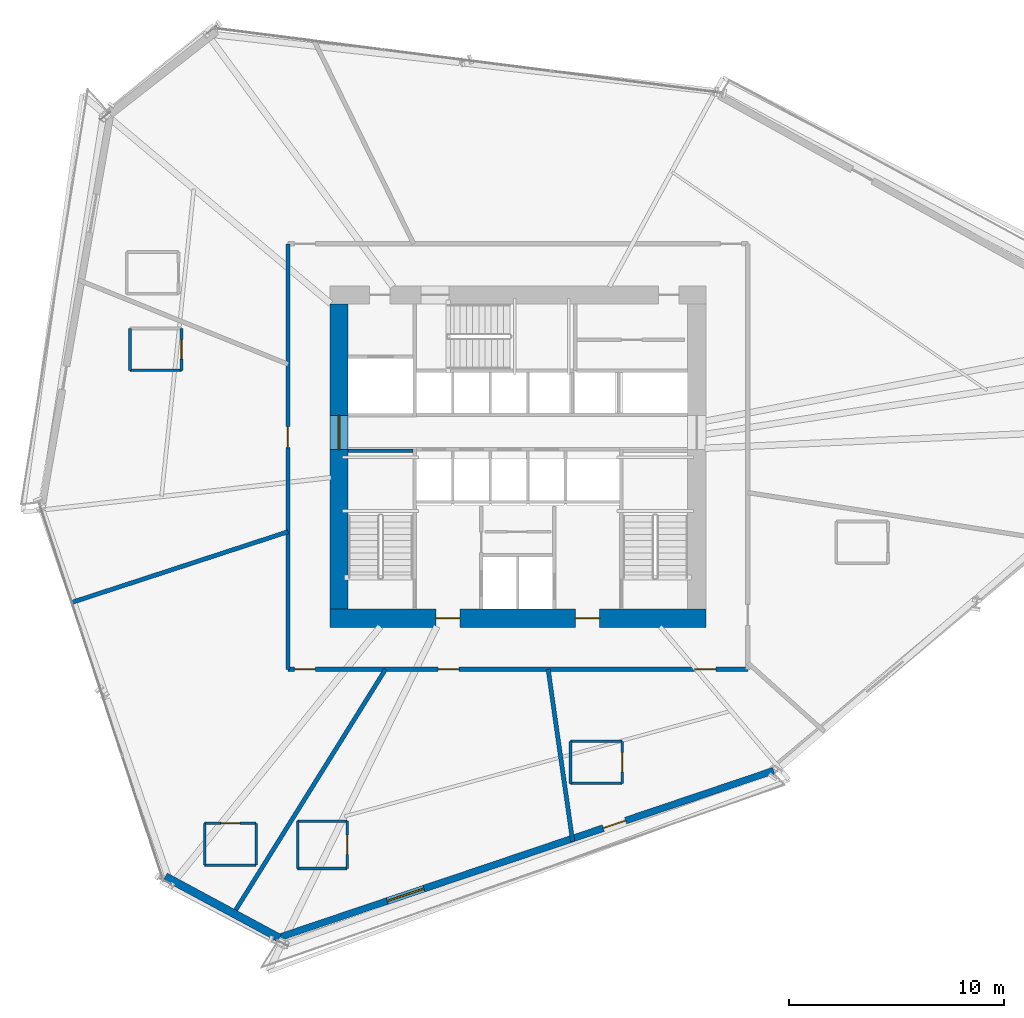
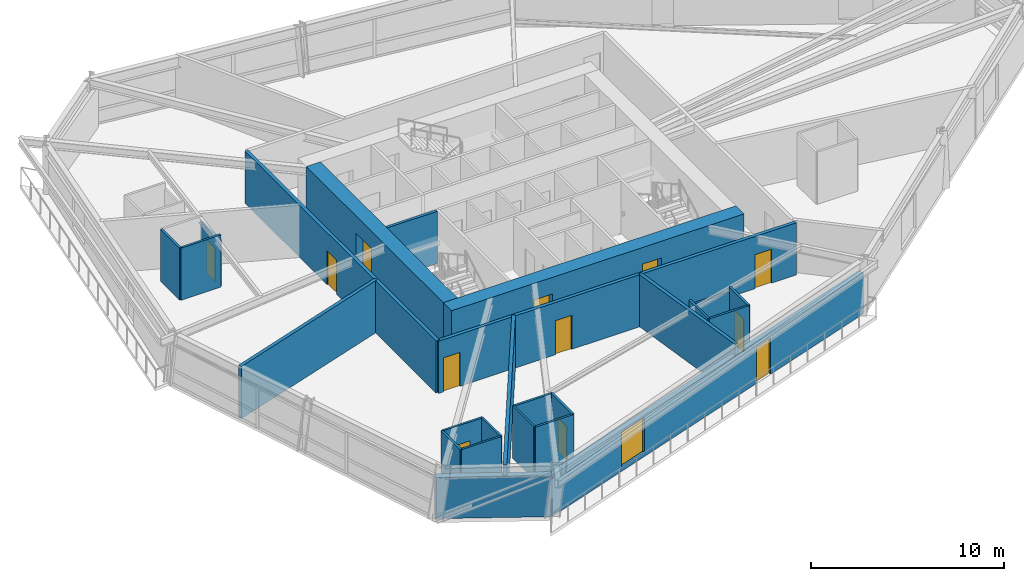
# One storey, part 15 of 22: 25 walls, 12 doors, 1 window, 13 openings.
"""IFC4 building model written with IfcOpenShell, lengths in metres."""

import ifcopenshell
import ifcopenshell.guid

model = None  # the IFC model being written
_history = None  # IfcOwnerHistory: only IFC2X3 demands one
_inside = {}  # id of a spatial element -> (the spatial element, [elements in it])
_under = {}  # id of a project, library or spatial element -> (it, [spatial elements below it])
_declared = {}  # id of a project -> (the project, [libraries it declares])
_typed = {}  # id of a type object -> (the type object, [elements of that type])
_made_of = {}  # id of a material, layer set ... -> (it, [elements and type objects made of it])


def new_model(schema):
    """Start an empty IFC model of exactly this schema.

    Asked for "IFC4X3", IfcOpenShell would pick the latest addendum, in which some entities
    have other attributes; the version numbers below select the first issue.
    IFC2X3 requires an IfcOwnerHistory on every rooted entity: one is made here for all.
    """
    global model, _history
    if schema == "IFC4X3":
        model = ifcopenshell.file(schema_version=(4, 3, 0, 0))
    else:
        model = ifcopenshell.file(schema=schema)
    _inside.clear()
    _under.clear()
    _declared.clear()
    _typed.clear()
    _made_of.clear()
    _history = None
    if model.schema == "IFC2X3":
        org = make("IfcOrganization", Name="unknown")
        user = make(
            "IfcPersonAndOrganization",
            ThePerson=make("IfcPerson", FamilyName="unknown"),
            TheOrganization=org,
        )
        app = make(
            "IfcApplication",
            ApplicationDeveloper=org,
            Version="unknown",
            ApplicationFullName="unknown",
            ApplicationIdentifier="unknown",
        )
        _history = make(
            "IfcOwnerHistory",
            OwningUser=user,
            OwningApplication=app,
            ChangeAction="ADDED",
            CreationDate=0,
        )
    return model


def make(cls, **values):
    """One entity of the class cls with the attributes given. An attribute that is None is left unset."""
    return model.create_entity(
        cls, **{name: value for name, value in values.items() if value is not None}
    )


def rooted(cls, **values):
    """An entity with a GlobalId (a new one), such as an element, a storey or a relation."""
    return make(cls, GlobalId=ifcopenshell.guid.new(), OwnerHistory=_history, **values)


def si_unit(unit_type, name, prefix=None):
    """IfcSIUnit, for example si_unit("LENGTHUNIT", "METRE", prefix="MILLI")."""
    return make("IfcSIUnit", UnitType=unit_type, Prefix=prefix, Name=name)


def assignment(units):
    """IfcUnitAssignment: the units of a project."""
    return None if units is None else make("IfcUnitAssignment", Units=units)


def point(xyz):
    """IfcCartesianPoint."""
    return None if xyz is None else make("IfcCartesianPoint", Coordinates=xyz)


def direction(xyz):
    """IfcDirection."""
    return None if xyz is None else make("IfcDirection", DirectionRatios=xyz)


def frame(location, z_axis=None, x_axis=None):
    """IfcAxis2Placement3D, a coordinate frame: its origin and axes. An axis left out is left unset."""
    return make(
        "IfcAxis2Placement3D",
        Location=point(location),
        Axis=direction(z_axis),
        RefDirection=direction(x_axis),
    )


def frame_2d(location, x_axis=None):
    """IfcAxis2Placement2D, a coordinate frame in the plane: its origin and x axis."""
    return make(
        "IfcAxis2Placement2D", Location=point(location), RefDirection=direction(x_axis)
    )


def origin():
    """The frame at (0, 0, 0) with its axes left unset."""
    return frame((0.0, 0.0, 0.0))


def place(relative_to, where):
    """IfcLocalPlacement: puts the frame where relative to a parent placement (None: the world)."""
    return make(
        "IfcLocalPlacement", PlacementRelTo=relative_to, RelativePlacement=where
    )


def context(
    kind, dimensions, precision=None, world=None, true_north=None, identifier=None
):
    """IfcGeometricRepresentationContext, for example the 3D "Model" context."""
    return make(
        "IfcGeometricRepresentationContext",
        ContextIdentifier=identifier,
        ContextType=kind,
        CoordinateSpaceDimension=dimensions,
        Precision=precision,
        WorldCoordinateSystem=world,
        TrueNorth=true_north,
    )


def subcontext(parent, identifier, kind, view, scale=None):
    """IfcGeometricRepresentationSubContext, for example "Body" below "Model"."""
    return make(
        "IfcGeometricRepresentationSubContext",
        ContextIdentifier=identifier,
        ContextType=kind,
        ParentContext=parent,
        TargetScale=scale,
        TargetView=view,
    )


def project(units=None, contexts=None):
    """IfcProject with its units and contexts."""
    return rooted(
        "IfcProject",
        Name="project",
        RepresentationContexts=contexts,
        UnitsInContext=assignment(units),
    )


def spatial(cls, under=None, at=None, **own):
    """A site, building, storey or space (cls), placed at a placement, below another one or the project."""
    s = rooted(cls, ObjectPlacement=at, **own)
    if under is not None:
        _under.setdefault(under.id(), (under, []))[1].append(s)
    return s


def profile(cls, at=None, kind="AREA", **sizes):
    """A parametric profile (cls). Its sizes go by their IFC names, for example OverallWidth=200.0."""
    return make(cls, ProfileType=kind, Position=at, **sizes)


def rectangle(**sizes):
    """IfcRectangleProfileDef."""
    return profile("IfcRectangleProfileDef", **sizes)


def extrude(swept, where, along, depth):
    """IfcExtrudedAreaSolid: the profile swept, set in the frame where, extruded along a direction by depth."""
    return make(
        "IfcExtrudedAreaSolid",
        SweptArea=swept,
        Position=where,
        ExtrudedDirection=direction(along),
        Depth=depth,
    )


def shape(context_of_items, identifier, shape_type, items):
    """IfcShapeRepresentation: the items that make up one representation, for example the "Body"."""
    return make(
        "IfcShapeRepresentation",
        ContextOfItems=context_of_items,
        RepresentationIdentifier=identifier,
        RepresentationType=shape_type,
        Items=items,
    )


def source(mapping_origin, context_of_items, identifier, shape_type, items):
    """IfcRepresentationMap: a shape defined once, which mapped items show again and again."""
    return make(
        "IfcRepresentationMap",
        MappingOrigin=mapping_origin,
        MappedRepresentation=shape(context_of_items, identifier, shape_type, items),
    )


def transform(
    local_origin,
    x_axis=None,
    y_axis=None,
    z_axis=None,
    scale=None,
    scale2=None,
    scale3=None,
    uniform=True,
):
    """IfcCartesianTransformationOperator3D, or its non-uniform kind. x_axis, y_axis, z_axis: its Axis1, 2, 3."""
    if uniform:
        return make(
            "IfcCartesianTransformationOperator3D",
            Axis1=direction(x_axis),
            Axis2=direction(y_axis),
            LocalOrigin=point(local_origin),
            Scale=scale,
            Axis3=direction(z_axis),
        )
    return make(
        "IfcCartesianTransformationOperator3DnonUniform",
        Axis1=direction(x_axis),
        Axis2=direction(y_axis),
        LocalOrigin=point(local_origin),
        Scale=scale,
        Axis3=direction(z_axis),
        Scale2=scale2,
        Scale3=scale3,
    )


def mapped(mapping_source, mapping_target):
    """IfcMappedItem: shows the shape of a source again, moved by a transform."""
    return make(
        "IfcMappedItem", MappingSource=mapping_source, MappingTarget=mapping_target
    )


def material(Name=None, Category=None):
    """IfcMaterial."""
    return make("IfcMaterial", Name=Name, Category=Category)


def layer(
    of_material, thickness, ventilated=None, Name=None, Category=None, Priority=None
):
    """IfcMaterialLayer: one layer of a wall or slab, of a material (None: an air gap)."""
    return make(
        "IfcMaterialLayer",
        Material=of_material,
        LayerThickness=thickness,
        IsVentilated=ventilated,
        Name=Name,
        Category=Category,
        Priority=Priority,
    )


def layer_set(layers, Name=None):
    """IfcMaterialLayerSet."""
    return make("IfcMaterialLayerSet", MaterialLayers=layers, LayerSetName=Name)


def made_of(thing, what):
    """Note that an element or type object is made of a material, layer set ...; save() writes the relation."""
    if what is not None:
        _made_of.setdefault(what.id(), (what, []))[1].append(thing)
    return thing


def type_object(cls, material=None, **own):
    """A type object (cls), such as IfcWallType, which elements share."""
    return made_of(rooted(cls, **own), material)


def type_shapes(of_type, sources):
    """Give a type object the sources (RepresentationMaps) that its elements show as mapped items."""
    of_type.RepresentationMaps = sources


def element(
    cls,
    number,
    at=None,
    inside=None,
    cuts=None,
    type_object=None,
    material=None,
    context=None,
    identifier="Body",
    shape_type=None,
    held_by="IfcProductDefinitionShape",
    body=None,
    shapes=None,
    **own,
):
    """One element of the class cls, such as IfcWall. Its Tag is "e" and its number.

    at: its placement. inside: the storey or other place that contains it. cuts: it is an
    opening in that element (IfcRelVoidsElement). A single representation is given by context,
    identifier, shape_type and body (its items); several are given by shapes. held_by: the class
    of the entity that holds the representations. save() writes the other relations.
    """
    e = rooted(cls, Tag="e%d" % number, ObjectPlacement=at, **own)
    if body is not None:
        shapes = [shape(context, identifier, shape_type, body)]
    if shapes is not None:
        e.Representation = make(held_by, Representations=shapes)
    if inside is not None:
        _inside.setdefault(inside.id(), (inside, []))[1].append(e)
    if cuts is not None:
        rooted(
            "IfcRelVoidsElement", RelatingBuildingElement=cuts, RelatedOpeningElement=e
        )
    if type_object is not None:
        _typed.setdefault(type_object.id(), (type_object, []))[1].append(e)
    return made_of(e, material)


def fill(opening, filler):
    """IfcRelFillsElement: the door or window that sits in an opening."""
    return rooted(
        "IfcRelFillsElement",
        RelatingOpeningElement=opening,
        RelatedBuildingElement=filler,
    )


def aggregate(whole, parts):
    """IfcRelAggregates: a whole, such as a stair, and the parts it consists of."""
    return rooted("IfcRelAggregates", RelatingObject=whole, RelatedObjects=parts)


def save(model, path):
    """Write the relations noted so far, then the file.

    IfcRelAggregates (storeys below a building ...), IfcRelContainedInSpatialStructure (elements
    in a storey), IfcRelDefinesByType, IfcRelAssociatesMaterial and IfcRelDeclares: one each for
    every whole, place, type object, material and project.
    """
    for whole, parts in _under.values():
        aggregate(whole, parts)
    for where, things in _inside.values():
        rooted(
            "IfcRelContainedInSpatialStructure",
            RelatedElements=things,
            RelatingStructure=where,
        )
    for kind, things in _typed.values():
        rooted("IfcRelDefinesByType", RelatedObjects=things, RelatingType=kind)
    for what, things in _made_of.values():
        rooted("IfcRelAssociatesMaterial", RelatedObjects=things, RelatingMaterial=what)
    for by, libraries in _declared.values():
        rooted("IfcRelDeclares", RelatingContext=by, RelatedDefinitions=libraries)
    model.write(path)


model = new_model("IFC4")

# Units and contexts
model_context = context("Model", 3, precision=1e-05, world=origin(), true_north=direction((0.0, 1.0)))
body_context = subcontext(model_context, "Body", "Model", "MODEL_VIEW")
ifc_project = project(units=[si_unit("LENGTHUNIT", "METRE"), si_unit("AREAUNIT", "SQUARE_METRE"), si_unit("VOLUMEUNIT", "CUBIC_METRE"), si_unit("PLANEANGLEUNIT", "RADIAN"), si_unit("MASSUNIT", "GRAM", prefix="KILO")], contexts=[model_context])

# Site, building, storey
site_placement = place(None, origin())
site = spatial("IfcSite", under=ifc_project, at=site_placement, CompositionType="ELEMENT")
building_placement = place(site_placement, origin())
building = spatial("IfcBuilding", under=site, at=building_placement, Name="Olszyna Solenne Hotel", CompositionType="ELEMENT")
storey_placement = place(building_placement, frame((0.0, 0.0, 57.699951171875)))
storey = spatial("IfcBuildingStorey", under=building, at=storey_placement, Name="L14", CompositionType="ELEMENT", Elevation=57.699951171875)

# Wall, openings, doors
ifc_material_1 = material(Name="Concrete C60/75", Category="concrete")
ifc_layer_1 = layer(ifc_material_1, 0.85009765625, Name="Concrete C60/75")
ifc_layer_set_1 = layer_set([ifc_layer_1], Name="Concrete C60/75")
wall_type_1 = type_object("IfcWallType", Name="WL-CR850", PredefinedType="SHEAR", material=ifc_layer_set_1)
wall_1_placement = place(storey_placement, frame((46.75, 19.074951171875, 0.0), z_axis=(0.0, 0.0, 1.0), x_axis=(-1.0, 0.0, 0.0)))
wall_1 = element("IfcWall", 1, at=wall_1_placement, inside=storey, type_object=wall_type_1, Name="Core shear wall WL-CR850 CRW-L14-S", PredefinedType="SHEAR", context=body_context, shape_type="SweptSolid", body=[
    extrude(rectangle(XDim=17.5, YDim=0.85009765625, at=frame_2d((8.75, 0.0))), origin(), (0.0, 0.0, 1.0), 3.300048828125),
])
opening_1_placement = place(wall_1_placement, frame((4.949951171875, 0.0, 0.0)))
opening_1 = element("IfcOpeningElement", 2, at=opening_1_placement, cuts=wall_1, Name="Opening FL-L14-1", PredefinedType="OPENING", context=body_context, shape_type="SweptSolid", body=[
    extrude(rectangle(XDim=1.1201171875, YDim=2.25, at=frame_2d((0.56005859375, 1.125))), frame((0.0, 0.43505859375, 0.0), z_axis=(0.0, -1.0, 0.0), x_axis=(1.0, 0.0, 0.0)), (0.0, 0.0, 1.0), 0.8701171875),
])
opening_2_placement = place(wall_1_placement, frame((11.449951171875, 0.0, 0.0)))
opening_2 = element("IfcOpeningElement", 3, at=opening_2_placement, cuts=wall_1, Name="Opening FL-L14-2", PredefinedType="OPENING", context=body_context, shape_type="SweptSolid", body=[
    extrude(rectangle(XDim=1.1201171875, YDim=2.25, at=frame_2d((0.56005859375, 1.125))), frame((0.0, 0.43505859375, 0.0), z_axis=(0.0, -1.0, 0.0), x_axis=(1.0, 0.0, 0.0)), (0.0, 0.0, 1.0), 0.8701171875),
])
ifc_material_2 = material(Name="Steel S355J2", Category="steel")
door_type_1 = type_object("IfcDoorType", Name="DR-FL1", OperationType="NOTDEFINED", PredefinedType="DOOR", material=ifc_material_2)
shared_shape_1 = source(origin(), body_context, "Body", "SweptSolid", [
    extrude(rectangle(XDim=1.1201171875, YDim=2.25, at=frame_2d((0.56005859375, 1.125))), frame((0.0, 0.02490234375, 0.0), z_axis=(0.0, -1.0, 0.0), x_axis=(1.0, 0.0, 0.0)), (0.0, 0.0, 1.0), 0.050048828125),
])
type_shapes(door_type_1, [shared_shape_1])
door_1_placement = place(opening_1_placement, origin())
door_1 = element("IfcDoor", 4, at=door_1_placement, inside=storey, type_object=door_type_1, Name="Firefighting lift lobby smoke door FL-L14-1", OperationType="SINGLE_SWING_LEFT", OverallHeight=2.25, OverallWidth=1.1201171875, PredefinedType="DOOR", context=body_context, shape_type="MappedRepresentation", body=[
    mapped(shared_shape_1, transform((0.0, 0.0, 0.0), x_axis=(1.0, 0.0, 0.0), y_axis=(0.0, 1.0, 0.0), z_axis=(0.0, 0.0, 1.0), scale=1.0)),
])
fill(opening_1, door_1)
door_2_placement = place(opening_2_placement, origin())
door_2 = element("IfcDoor", 5, at=door_2_placement, inside=storey, type_object=door_type_1, Name="Firefighting lift lobby smoke door FL-L14-2", OperationType="SINGLE_SWING_RIGHT", OverallHeight=2.25, OverallWidth=1.1201171875, PredefinedType="DOOR", context=body_context, shape_type="MappedRepresentation", body=[
    mapped(shared_shape_1, transform((0.0, 0.0, 0.0), x_axis=(1.0, 0.0, 0.0), y_axis=(0.0, 1.0, 0.0), z_axis=(0.0, 0.0, 1.0), scale=1.0)),
])
fill(opening_2, door_2)

# Wall, opening, door
wall_2_placement = place(storey_placement, frame((29.675048828125, 19.5, 0.0), z_axis=(0.0, 0.0, 1.0), x_axis=(0.0, 1.0, 0.0)))
wall_2 = element("IfcWall", 6, at=wall_2_placement, inside=storey, type_object=wall_type_1, Name="Core shear wall WL-CR850 CRW-L14-W", PredefinedType="SHEAR", context=body_context, shape_type="SweptSolid", body=[
    extrude(rectangle(XDim=14.199951171875, YDim=0.85009765625, at=frame_2d((7.10009765625, 0.0))), origin(), (0.0, 0.0, 1.0), 3.300048828125),
])
opening_3_placement = place(wall_2_placement, frame((7.419921875, 0.0, 0.0)))
opening_3 = element("IfcOpeningElement", 7, at=opening_3_placement, cuts=wall_2, Name="Opening LHD-L14-W", PredefinedType="OPENING", context=body_context, shape_type="SweptSolid", body=[
    extrude(rectangle(XDim=1.60009765625, YDim=2.199951171875, at=frame_2d((0.800048828125, 1.10009765625))), frame((0.0, 0.43505859375, 0.0), z_axis=(0.0, -1.0, 0.0), x_axis=(1.0, 0.0, 0.0)), (0.0, 0.0, 1.0), 0.8701171875),
])
ifc_material_3 = material(Name="Timber hardwood", Category="wood")
door_type_2 = type_object("IfcDoorType", Name="DR-CR1", OperationType="DOUBLE_DOOR_SINGLE_SWING", PredefinedType="DOOR", material=ifc_material_3)
shared_shape_2 = source(origin(), body_context, "Body", "SweptSolid", [
    extrude(rectangle(XDim=1.60009765625, YDim=2.199951171875, at=frame_2d((0.800048828125, 1.10009765625))), frame((0.0, 0.02490234375, 0.0), z_axis=(0.0, -1.0, 0.0), x_axis=(1.0, 0.0, 0.0)), (0.0, 0.0, 1.0), 0.050048828125),
])
type_shapes(door_type_2, [shared_shape_2])
door_3_placement = place(opening_3_placement, origin())
door_3 = element("IfcDoor", 8, at=door_3_placement, inside=storey, type_object=door_type_2, Name="Passenger lift lobby West fire door LHD-L14-W", OperationType="DOUBLE_DOOR_SINGLE_SWING", OverallHeight=2.199951171875, OverallWidth=1.60009765625, PredefinedType="DOOR", context=body_context, shape_type="MappedRepresentation", body=[
    mapped(shared_shape_2, transform((0.0, 0.0, 0.0), x_axis=(1.0, 0.0, 0.0), y_axis=(0.0, 1.0, 0.0), z_axis=(0.0, 0.0, 1.0), scale=1.0)),
])
fill(opening_3, door_3)

# Wall, openings, door, window
ifc_material_4 = material(Name="Precast concrete C45/55", Category="concrete")
ifc_layer_2 = layer(ifc_material_4, 0.320068359375, Name="Precast concrete C45/55")
ifc_layer_set_2 = layer_set([ifc_layer_2], Name="Precast concrete C45/55")
wall_type_2 = type_object("IfcWallType", Name="WL-EX320", PredefinedType="SOLIDWALL", material=ifc_layer_set_2)
wall_3_placement = place(storey_placement, frame((49.89794921875, 11.984375, 0.0), z_axis=(0.0, 0.0, 1.0), x_axis=(-0.94755455003, -0.31959407804, 0.0)))
wall_3 = element("IfcWall", 9, at=wall_3_placement, inside=storey, type_object=wall_type_2, Name="Exterior terracotta-precast frame wall WL-EX320 EW-L14-01", PredefinedType="SOLIDWALL", context=body_context, shape_type="SweptSolid", body=[
    extrude(rectangle(XDim=24.419189453125, YDim=0.320068359375, at=frame_2d((12.20947265625, 0.0))), origin(), (0.0, 0.0, 1.0), 2.592041015625),
])
opening_4_placement = place(wall_3_placement, frame((7.263916015625, 0.0, 0.0)))
opening_4 = element("IfcOpeningElement", 10, at=opening_4_placement, cuts=wall_3, Name="Opening LDG-L14-3", PredefinedType="OPENING", context=body_context, shape_type="SweptSolid", body=[
    extrude(rectangle(XDim=1.10009765625, YDim=2.300048828125, at=frame_2d((0.550048828125, 1.14990234375))), frame((0.0, 0.169921875, 0.0), z_axis=(0.0, -1.0, 0.0), x_axis=(1.0, 0.0, 0.0)), (0.0, 0.0, 1.0), 0.340087890625),
])
opening_5_placement = place(wall_3_placement, frame((17.169921875, 0.0, 0.27197265625)))
opening_5 = element("IfcOpeningElement", 11, at=opening_5_placement, cuts=wall_3, Name="Opening WN-L14-062", PredefinedType="OPENING", context=body_context, shape_type="SweptSolid", body=[
    extrude(rectangle(XDim=1.800048828125, YDim=2.199951171875, at=frame_2d((0.89990234375, 1.10009765625))), frame((0.0, 0.169921875, 0.0), z_axis=(0.0, -1.0, 0.0), x_axis=(1.0, 0.0, 0.0)), (0.0, 0.0, 1.0), 0.340087890625),
])
ifc_material_5 = material(Name="Anodised bronze aluminium", Category="aluminium")
door_type_3 = type_object("IfcDoorType", Name="DR-LG1", OperationType="NOTDEFINED", PredefinedType="DOOR", material=ifc_material_5)
shared_shape_3 = source(origin(), body_context, "Body", "SweptSolid", [
    extrude(rectangle(XDim=1.10009765625, YDim=2.300048828125, at=frame_2d((0.550048828125, 1.14990234375))), frame((0.0, 0.02490234375, 0.0), z_axis=(0.0, -1.0, 0.0), x_axis=(1.0, 0.0, 0.0)), (0.0, 0.0, 1.0), 0.050048828125),
])
type_shapes(door_type_3, [shared_shape_3])
door_4_placement = place(opening_4_placement, origin())
door_4 = element("IfcDoor", 12, at=door_4_placement, inside=storey, type_object=door_type_3, Name="Exterior loggia balcony door DR-LG1 LDG-L14-3", OperationType="SINGLE_SWING_RIGHT", OverallHeight=2.300048828125, OverallWidth=1.10009765625, PredefinedType="DOOR", context=body_context, shape_type="MappedRepresentation", body=[
    mapped(shared_shape_3, transform((0.0, 0.0, 0.0), x_axis=(1.0, 0.0, 0.0), y_axis=(0.0, 1.0, 0.0), z_axis=(0.0, 0.0, 1.0), scale=1.0)),
])
fill(opening_4, door_4)
ifc_material_6 = material(Name="Low-E triple glazing", Category="glass")
window_type = type_object("IfcWindowType", Name="WN-HT1", PartitioningType="SINGLE_PANEL", PredefinedType="WINDOW", material=ifc_material_6)
shared_shape_4 = source(origin(), body_context, "Body", "SweptSolid", [
    extrude(rectangle(XDim=1.800048828125, YDim=2.199951171875, at=frame_2d((0.89990234375, 1.10009765625))), frame((0.0, 0.030029296875, 0.0), z_axis=(0.0, -1.0, 0.0), x_axis=(1.0, 0.0, 0.0)), (0.0, 0.0, 1.0), 0.06005859375),
])
type_shapes(window_type, [shared_shape_4])
window_placement = place(opening_5_placement, origin())
window = element("IfcWindow", 13, at=window_placement, inside=storey, type_object=window_type, Name="Loggia room window WN-HT1 WN-L14-062", OverallHeight=2.199951171875, OverallWidth=1.800048828125, PartitioningType="SINGLE_PANEL", PredefinedType="WINDOW", context=body_context, shape_type="MappedRepresentation", body=[
    mapped(shared_shape_4, transform((0.0, 0.0, 0.0), x_axis=(1.0, 0.0, 0.0), y_axis=(0.0, 1.0, 0.0), z_axis=(0.0, 0.0, 1.0), scale=1.0)),
])
fill(opening_5, window)

# Wall
ifc_material_7 = material(Name="Terracotta cladding on precast concrete C45/55", Category="masonry")
ifc_layer_3 = layer(ifc_material_7, 0.3798828125, Name="Terracotta cladding on precast concrete C45/55")
ifc_layer_set_3 = layer_set([ifc_layer_3], Name="Terracotta cladding on precast concrete C45/55")
wall_type_3 = type_object("IfcWallType", Name="WL-EX380", PredefinedType="SOLIDWALL", material=ifc_layer_set_3)
wall_4_placement = place(storey_placement, frame((26.900634765625, 4.19580078125, 0.0), z_axis=(0.0, 0.0, 1.0), x_axis=(-0.880486700223, 0.474070849906, 0.0)))
element("IfcWall", 14, at=wall_4_placement, inside=storey, type_object=wall_type_3, Name="Exterior terracotta-precast frame wall WL-EX380 EW-L14-02", PredefinedType="SOLIDWALL", context=body_context, shape_type="SweptSolid", body=[
    extrude(rectangle(XDim=6.030029296875, YDim=0.3798828125, at=frame_2d((3.01513671875, 0.0))), origin(), (0.0, 0.0, 1.0), 2.592041015625),
])

# Wall, opening, door
ifc_material_8 = material(Name="Acoustic gypsum partition", Category="gypsum")
ifc_layer_4 = layer(ifc_material_8, 0.125, Name="Acoustic gypsum partition")
ifc_layer_set_4 = layer_set([ifc_layer_4], Name="Acoustic gypsum partition")
wall_type_4 = type_object("IfcWallType", Name="WL-PT125", PredefinedType="PARTITIONING", material=ifc_layer_set_4)
wall_5_placement = place(storey_placement, frame((22.346923828125, 30.614013671875, 0.0), z_axis=(0.0, 0.0, 1.0), x_axis=(0.0, 1.0, 0.0)))
wall_5 = element("IfcWall", 15, at=wall_5_placement, inside=storey, type_object=wall_type_4, Name="Interior acoustic partition WL-PT125 PW-L14-0783", PredefinedType="PARTITIONING", context=body_context, shape_type="SweptSolid", body=[
    extrude(rectangle(XDim=1.949951171875, YDim=0.125, at=frame_2d((0.97509765625, 0.0))), origin(), (0.0, 0.0, 1.0), 2.925048828125),
])
opening_6_placement = place(wall_5_placement, frame((0.52490234375, 0.0, 0.0)))
opening_6 = element("IfcOpeningElement", 16, at=opening_6_placement, cuts=wall_5, Name="Opening DR-L14-0172", PredefinedType="OPENING", context=body_context, shape_type="SweptSolid", body=[
    extrude(rectangle(XDim=0.89990234375, YDim=2.10009765625, at=frame_2d((0.449951171875, 1.050048828125))), frame((0.0, 0.072509765625, 0.0), z_axis=(0.0, -1.0, 0.0), x_axis=(1.0, 0.0, 0.0)), (0.0, 0.0, 1.0), 0.14501953125),
])
door_type_4 = type_object("IfcDoorType", Name="DR-WC1", OperationType="NOTDEFINED", PredefinedType="DOOR", material=ifc_material_3)
shared_shape_5 = source(origin(), body_context, "Body", "SweptSolid", [
    extrude(rectangle(XDim=0.89990234375, YDim=2.10009765625, at=frame_2d((0.449951171875, 1.050048828125))), frame((0.0, 0.02490234375, 0.0), z_axis=(0.0, -1.0, 0.0), x_axis=(1.0, 0.0, 0.0)), (0.0, 0.0, 1.0), 0.050048828125),
])
type_shapes(door_type_4, [shared_shape_5])
door_5_placement = place(opening_6_placement, origin())
door_5 = element("IfcDoor", 17, at=door_5_placement, inside=storey, type_object=door_type_4, Name="En-Suite Bathroom Door DR-L14-0172", OperationType="SINGLE_SWING_LEFT", OverallHeight=2.10009765625, OverallWidth=0.89990234375, PredefinedType="DOOR", context=body_context, shape_type="MappedRepresentation", body=[
    mapped(shared_shape_5, transform((0.0, 0.0, 0.0), x_axis=(1.0, 0.0, 0.0), y_axis=(0.0, 1.0, 0.0), z_axis=(0.0, 0.0, 1.0), scale=1.0)),
])
fill(opening_6, door_5)

# Walls
wall_6_placement = place(storey_placement, frame((19.947021484375, 32.56396484375, 0.0), z_axis=(0.0, 0.0, 1.0), x_axis=(0.0, -1.0, 0.0)))
element("IfcWall", 18, at=wall_6_placement, inside=storey, type_object=wall_type_4, Name="Interior acoustic partition WL-PT125 PW-L14-0785", PredefinedType="PARTITIONING", context=body_context, shape_type="SweptSolid", body=[
    extrude(rectangle(XDim=1.949951171875, YDim=0.125, at=frame_2d((0.97509765625, 0.0))), origin(), (0.0, 0.0, 1.0), 3.300048828125),
])
wall_7_placement = place(storey_placement, frame((19.947021484375, 30.614013671875, 0.0), z_axis=(0.0, 0.0, 1.0), x_axis=(1.0, 0.0, 0.0)))
element("IfcWall", 19, at=wall_7_placement, inside=storey, type_object=wall_type_4, Name="Interior acoustic partition WL-PT125 PW-L14-0786", PredefinedType="PARTITIONING", context=body_context, shape_type="SweptSolid", body=[
    extrude(rectangle(XDim=2.39990234375, YDim=0.125, at=frame_2d((1.199951171875, 0.0))), origin(), (0.0, 0.0, 1.0), 3.300048828125),
])
wall_8_placement = place(storey_placement, frame((25.823974609375, 7.5869140625, 0.0), z_axis=(0.0, 0.0, 1.0), x_axis=(0.0, 1.0, 0.0)))
element("IfcWall", 20, at=wall_8_placement, inside=storey, type_object=wall_type_4, Name="Interior acoustic partition WL-PT125 PW-L14-0787", PredefinedType="PARTITIONING", context=body_context, shape_type="SweptSolid", body=[
    extrude(rectangle(XDim=1.9501953125, YDim=0.125, at=frame_2d((0.97509765625, 0.0))), origin(), (0.0, 0.0, 1.0), 3.300048828125),
])

# Wall, opening, door
wall_9_placement = place(storey_placement, frame((25.823974609375, 9.537109375, 0.0), z_axis=(0.0, 0.0, 1.0), x_axis=(-1.0, 0.0, 0.0)))
wall_9 = element("IfcWall", 21, at=wall_9_placement, inside=storey, type_object=wall_type_4, Name="Interior acoustic partition WL-PT125 PW-L14-0788", PredefinedType="PARTITIONING", context=body_context, shape_type="SweptSolid", body=[
    extrude(rectangle(XDim=2.39990234375, YDim=0.125, at=frame_2d((1.199951171875, 0.0))), origin(), (0.0, 0.0, 1.0), 3.300048828125),
])
opening_7_placement = place(wall_9_placement, frame((0.75, 0.0, 0.0)))
opening_7 = element("IfcOpeningElement", 22, at=opening_7_placement, cuts=wall_9, Name="Opening DR-L14-0173", PredefinedType="OPENING", context=body_context, shape_type="SweptSolid", body=[
    extrude(rectangle(XDim=0.89990234375, YDim=2.10009765625, at=frame_2d((0.449951171875, 1.050048828125))), frame((0.0, 0.072509765625, 0.0), z_axis=(0.0, -1.0, 0.0), x_axis=(1.0, 0.0, 0.0)), (0.0, 0.0, 1.0), 0.14501953125),
])
door_6_placement = place(opening_7_placement, origin())
door_6 = element("IfcDoor", 23, at=door_6_placement, inside=storey, type_object=door_type_4, Name="En-Suite Bathroom Door DR-L14-0173", OperationType="SINGLE_SWING_RIGHT", OverallHeight=2.10009765625, OverallWidth=0.89990234375, PredefinedType="DOOR", context=body_context, shape_type="MappedRepresentation", body=[
    mapped(shared_shape_5, transform((0.0, 0.0, 0.0), x_axis=(1.0, 0.0, 0.0), y_axis=(0.0, 1.0, 0.0), z_axis=(0.0, 0.0, 1.0), scale=1.0)),
])
fill(opening_7, door_6)

# Walls
wall_10_placement = place(storey_placement, frame((23.424072265625, 9.537109375, 0.0), z_axis=(0.0, 0.0, 1.0), x_axis=(0.0, -1.0, 0.0)))
element("IfcWall", 24, at=wall_10_placement, inside=storey, type_object=wall_type_4, Name="Interior acoustic partition WL-PT125 PW-L14-0789", PredefinedType="PARTITIONING", context=body_context, shape_type="SweptSolid", body=[
    extrude(rectangle(XDim=1.9501953125, YDim=0.125, at=frame_2d((0.97509765625, 0.0))), origin(), (0.0, 0.0, 1.0), 3.300048828125),
])
wall_11_placement = place(storey_placement, frame((23.424072265625, 7.5869140625, 0.0), z_axis=(0.0, 0.0, 1.0), x_axis=(1.0, 0.0, 0.0)))
element("IfcWall", 25, at=wall_11_placement, inside=storey, type_object=wall_type_4, Name="Interior acoustic partition WL-PT125 PW-L14-0790", PredefinedType="PARTITIONING", context=body_context, shape_type="SweptSolid", body=[
    extrude(rectangle(XDim=2.39990234375, YDim=0.125, at=frame_2d((1.199951171875, 0.0))), origin(), (0.0, 0.0, 1.0), 3.300048828125),
])

# Wall, opening, door
wall_12_placement = place(storey_placement, frame((30.052978515625, 7.43603515625, 0.0), z_axis=(0.0, 0.0, 1.0), x_axis=(0.0, 1.0, 0.0)))
wall_12 = element("IfcWall", 26, at=wall_12_placement, inside=storey, type_object=wall_type_4, Name="Interior acoustic partition WL-PT125 PW-L14-0791", PredefinedType="PARTITIONING", context=body_context, shape_type="SweptSolid", body=[
    extrude(rectangle(XDim=2.199951171875, YDim=0.125, at=frame_2d((1.10009765625, 0.0))), origin(), (0.0, 0.0, 1.0), 3.300048828125),
])
opening_8_placement = place(wall_12_placement, frame((0.64990234375, 0.0, 0.0)))
opening_8 = element("IfcOpeningElement", 27, at=opening_8_placement, cuts=wall_12, Name="Opening DR-L14-0174", PredefinedType="OPENING", context=body_context, shape_type="SweptSolid", body=[
    extrude(rectangle(XDim=0.89990234375, YDim=2.10009765625, at=frame_2d((0.449951171875, 1.050048828125))), frame((0.0, 0.072509765625, 0.0), z_axis=(0.0, -1.0, 0.0), x_axis=(1.0, 0.0, 0.0)), (0.0, 0.0, 1.0), 0.14501953125),
])
door_7_placement = place(opening_8_placement, origin())
door_7 = element("IfcDoor", 28, at=door_7_placement, inside=storey, type_object=door_type_4, Name="En-Suite Bathroom Door DR-L14-0174", OperationType="SINGLE_SWING_LEFT", OverallHeight=2.10009765625, OverallWidth=0.89990234375, PredefinedType="DOOR", context=body_context, shape_type="MappedRepresentation", body=[
    mapped(shared_shape_5, transform((0.0, 0.0, 0.0), x_axis=(1.0, 0.0, 0.0), y_axis=(0.0, 1.0, 0.0), z_axis=(0.0, 0.0, 1.0), scale=1.0)),
])
fill(opening_8, door_7)

# Walls
wall_13_placement = place(storey_placement, frame((30.052978515625, 9.635986328125, 0.0), z_axis=(0.0, 0.0, 1.0), x_axis=(-1.0, 0.0, 0.0)))
element("IfcWall", 29, at=wall_13_placement, inside=storey, type_object=wall_type_4, Name="Interior acoustic partition WL-PT125 PW-L14-0792", PredefinedType="PARTITIONING", context=body_context, shape_type="SweptSolid", body=[
    extrude(rectangle(XDim=2.300048828125, YDim=0.125, at=frame_2d((1.14990234375, 0.0))), origin(), (0.0, 0.0, 1.0), 3.300048828125),
])
wall_14_placement = place(storey_placement, frame((27.7529296875, 9.635986328125, 0.0), z_axis=(0.0, 0.0, 1.0), x_axis=(0.0, -1.0, 0.0)))
element("IfcWall", 30, at=wall_14_placement, inside=storey, type_object=wall_type_4, Name="Interior acoustic partition WL-PT125 PW-L14-0793", PredefinedType="PARTITIONING", context=body_context, shape_type="SweptSolid", body=[
    extrude(rectangle(XDim=2.199951171875, YDim=0.125, at=frame_2d((1.10009765625, 0.0))), origin(), (0.0, 0.0, 1.0), 3.300048828125),
])
wall_15_placement = place(storey_placement, frame((27.7529296875, 7.43603515625, 0.0), z_axis=(0.0, 0.0, 1.0), x_axis=(1.0, 0.0, 0.0)))
element("IfcWall", 31, at=wall_15_placement, inside=storey, type_object=wall_type_4, Name="Interior acoustic partition WL-PT125 PW-L14-0794", PredefinedType="PARTITIONING", context=body_context, shape_type="SweptSolid", body=[
    extrude(rectangle(XDim=2.300048828125, YDim=0.125, at=frame_2d((1.14990234375, 0.0))), origin(), (0.0, 0.0, 1.0), 3.300048828125),
])

# Wall, opening, door
wall_16_placement = place(storey_placement, frame((42.85107421875, 11.39990234375, 0.0), z_axis=(0.0, 0.0, 1.0), x_axis=(0.0, 1.0, 0.0)))
wall_16 = element("IfcWall", 32, at=wall_16_placement, inside=storey, type_object=wall_type_4, Name="Interior acoustic partition WL-PT125 PW-L14-0795", PredefinedType="PARTITIONING", context=body_context, shape_type="SweptSolid", body=[
    extrude(rectangle(XDim=1.9501953125, YDim=0.125, at=frame_2d((0.97509765625, 0.0))), origin(), (0.0, 0.0, 1.0), 3.300048828125),
])
opening_9_placement = place(wall_16_placement, frame((0.52490234375, 0.0, 0.0)))
opening_9 = element("IfcOpeningElement", 33, at=opening_9_placement, cuts=wall_16, Name="Opening DR-L14-0175", PredefinedType="OPENING", context=body_context, shape_type="SweptSolid", body=[
    extrude(rectangle(XDim=0.89990234375, YDim=2.10009765625, at=frame_2d((0.449951171875, 1.050048828125))), frame((0.0, 0.072509765625, 0.0), z_axis=(0.0, -1.0, 0.0), x_axis=(1.0, 0.0, 0.0)), (0.0, 0.0, 1.0), 0.14501953125),
])
door_8_placement = place(opening_9_placement, origin())
door_8 = element("IfcDoor", 34, at=door_8_placement, inside=storey, type_object=door_type_4, Name="En-Suite Bathroom Door DR-L14-0175", OperationType="SINGLE_SWING_LEFT", OverallHeight=2.10009765625, OverallWidth=0.89990234375, PredefinedType="DOOR", context=body_context, shape_type="MappedRepresentation", body=[
    mapped(shared_shape_5, transform((0.0, 0.0, 0.0), x_axis=(1.0, 0.0, 0.0), y_axis=(0.0, 1.0, 0.0), z_axis=(0.0, 0.0, 1.0), scale=1.0)),
])
fill(opening_9, door_8)

# Walls
wall_17_placement = place(storey_placement, frame((42.85107421875, 13.35009765625, 0.0), z_axis=(0.0, 0.0, 1.0), x_axis=(-1.0, 0.0, 0.0)))
element("IfcWall", 35, at=wall_17_placement, inside=storey, type_object=wall_type_4, Name="Interior acoustic partition WL-PT125 PW-L14-0796", PredefinedType="PARTITIONING", context=body_context, shape_type="SweptSolid", body=[
    extrude(rectangle(XDim=2.400146484375, YDim=0.125, at=frame_2d((1.2001953125, 0.0))), origin(), (0.0, 0.0, 1.0), 2.985107421875),
])
wall_18_placement = place(storey_placement, frame((40.450927734375, 13.35009765625, 0.0), z_axis=(0.0, 0.0, 1.0), x_axis=(0.0, -1.0, 0.0)))
element("IfcWall", 36, at=wall_18_placement, inside=storey, type_object=wall_type_4, Name="Interior acoustic partition WL-PT125 PW-L14-0797", PredefinedType="PARTITIONING", context=body_context, shape_type="SweptSolid", body=[
    extrude(rectangle(XDim=1.9501953125, YDim=0.125, at=frame_2d((0.97509765625, 0.0))), origin(), (0.0, 0.0, 1.0), 3.300048828125),
])
wall_19_placement = place(storey_placement, frame((40.450927734375, 11.39990234375, 0.0), z_axis=(0.0, 0.0, 1.0), x_axis=(1.0, 0.0, 0.0)))
element("IfcWall", 37, at=wall_19_placement, inside=storey, type_object=wall_type_4, Name="Interior acoustic partition WL-PT125 PW-L14-0798", PredefinedType="PARTITIONING", context=body_context, shape_type="SweptSolid", body=[
    extrude(rectangle(XDim=2.400146484375, YDim=0.125, at=frame_2d((1.2001953125, 0.0))), origin(), (0.0, 0.0, 1.0), 3.300048828125),
])
ifc_layer_5 = layer(ifc_material_8, 0.159912109375, Name="Acoustic gypsum partition")
ifc_layer_set_5 = layer_set([ifc_layer_5], Name="Acoustic gypsum partition")
wall_type_5 = type_object("IfcWallType", Name="WL-PT160", PredefinedType="PARTITIONING", material=ifc_layer_set_5)
wall_20_placement = place(storey_placement, frame((30.10009765625, 26.8798828125, 0.0), z_axis=(0.0, 0.0, 1.0), x_axis=(1.0, 0.0, 0.0)))
element("IfcWall", 38, at=wall_20_placement, inside=storey, type_object=wall_type_5, Name="Core shaft compartment wall CW-L14-ST1N", PredefinedType="PARTITIONING", context=body_context, shape_type="SweptSolid", body=[
    extrude(rectangle(XDim=3.02001953125, YDim=0.159912109375, at=frame_2d((1.510009765625, 0.0))), origin(), (0.0, 0.0, 1.0), 3.300048828125),
])
ifc_layer_6 = layer(ifc_material_8, 0.199951171875, Name="Acoustic gypsum partition")
ifc_layer_set_6 = layer_set([ifc_layer_6], Name="Acoustic gypsum partition")
wall_type_6 = type_object("IfcWallType", Name="WL-PT200", PredefinedType="PARTITIONING", material=ifc_layer_set_6)
wall_21_placement = place(storey_placement, frame((27.300048828125, 23.102783203125, 0.0), z_axis=(0.0, 0.0, 1.0), x_axis=(-0.95051188869, -0.310688186867, 0.0)))
element("IfcWall", 39, at=wall_21_placement, inside=storey, type_object=wall_type_6, Name="Interior acoustic partition WL-PT200 PW-L14-0775", PredefinedType="PARTITIONING", context=body_context, shape_type="SweptSolid", body=[
    extrude(rectangle(XDim=10.5478515625, YDim=0.199951171875, at=frame_2d((5.27392578125, 0.0))), origin(), (0.0, 0.0, 1.0), 3.300048828125),
])
wall_22_placement = place(storey_placement, frame((31.837890625, 16.699951171875, 0.0), z_axis=(0.0, 0.0, 1.0), x_axis=(-0.528446628654, -0.848966525055, 0.0)))
element("IfcWall", 40, at=wall_22_placement, inside=storey, type_object=wall_type_6, Name="Interior acoustic partition WL-PT200 PW-L14-0776", PredefinedType="PARTITIONING", context=body_context, shape_type="SweptSolid", body=[
    extrude(rectangle(XDim=13.536865234375, YDim=0.199951171875, at=frame_2d((6.7685546875, 0.0))), origin(), (0.0, 0.0, 1.0), 3.300048828125),
])
wall_23_placement = place(storey_placement, frame((39.408935546875, 16.699951171875, 0.0), z_axis=(0.0, 0.0, 1.0), x_axis=(0.140897236135, -0.990024226395, 0.0)))
element("IfcWall", 41, at=wall_23_placement, inside=storey, type_object=wall_type_6, Name="Interior acoustic partition WL-PT200 PW-L14-0777", PredefinedType="PARTITIONING", context=body_context, shape_type="SweptSolid", body=[
    extrude(rectangle(XDim=8.086669921875, YDim=0.199951171875, at=frame_2d((4.04345703125, 0.0))), origin(), (0.0, 0.0, 1.0), 3.300048828125),
])

# Wall, openings, doors
wall_24_placement = place(storey_placement, frame((27.300048828125, 16.699951171875, 0.0), z_axis=(0.0, 0.0, 1.0), x_axis=(1.0, 0.0, 0.0)))
wall_24 = element("IfcWall", 42, at=wall_24_placement, inside=storey, type_object=wall_type_6, Name="Interior acoustic partition WL-PT200 PW-L14-0803", PredefinedType="PARTITIONING", context=body_context, shape_type="SweptSolid", body=[
    extrude(rectangle(XDim=21.39990234375, YDim=0.199951171875, at=frame_2d((10.699951171875, 0.0))), origin(), (0.0, 0.0, 1.0), 3.300048828125),
])
opening_10_placement = place(wall_24_placement, frame((0.300048828125, 0.0, 0.0)))
opening_10 = element("IfcOpeningElement", 43, at=opening_10_placement, cuts=wall_24, Name="Opening DR-L14-0177", PredefinedType="OPENING", context=body_context, shape_type="SweptSolid", body=[
    extrude(rectangle(XDim=0.97998046875, YDim=2.14990234375, at=frame_2d((0.489990234375, 1.074951171875))), frame((0.0, 0.10986328125, 0.0), z_axis=(0.0, -1.0, 0.0), x_axis=(1.0, 0.0, 0.0)), (0.0, 0.0, 1.0), 0.219970703125),
])
opening_11_placement = place(wall_24_placement, frame((6.98291015625, 0.0, 0.0)))
opening_11 = element("IfcOpeningElement", 44, at=opening_11_placement, cuts=wall_24, Name="Opening DR-L14-0178", PredefinedType="OPENING", context=body_context, shape_type="SweptSolid", body=[
    extrude(rectangle(XDim=0.97998046875, YDim=2.14990234375, at=frame_2d((0.489990234375, 1.074951171875))), frame((0.0, 0.10986328125, 0.0), z_axis=(0.0, -1.0, 0.0), x_axis=(1.0, 0.0, 0.0)), (0.0, 0.0, 1.0), 0.219970703125),
])
opening_12_placement = place(wall_24_placement, frame((18.928955078125, 0.0, 0.0)))
opening_12 = element("IfcOpeningElement", 45, at=opening_12_placement, cuts=wall_24, Name="Opening DR-L14-0179", PredefinedType="OPENING", context=body_context, shape_type="SweptSolid", body=[
    extrude(rectangle(XDim=0.97998046875, YDim=2.14990234375, at=frame_2d((0.489990234375, 1.074951171875))), frame((0.0, 0.10986328125, 0.0), z_axis=(0.0, -1.0, 0.0), x_axis=(1.0, 0.0, 0.0)), (0.0, 0.0, 1.0), 0.219970703125),
])
door_type_5 = type_object("IfcDoorType", Name="DR-RM1", OperationType="NOTDEFINED", PredefinedType="DOOR", material=ifc_material_3)
shared_shape_6 = source(origin(), body_context, "Body", "SweptSolid", [
    extrude(rectangle(XDim=0.97998046875, YDim=2.14990234375, at=frame_2d((0.489990234375, 1.074951171875))), frame((0.0, 0.02490234375, 0.0), z_axis=(0.0, -1.0, 0.0), x_axis=(1.0, 0.0, 0.0)), (0.0, 0.0, 1.0), 0.050048828125),
])
type_shapes(door_type_5, [shared_shape_6])
door_9_placement = place(opening_10_placement, origin())
door_9 = element("IfcDoor", 46, at=door_9_placement, inside=storey, type_object=door_type_5, Name="Deluxe Hotel Guestroom Entrance Door DR-L14-0177", OperationType="SINGLE_SWING_RIGHT", OverallHeight=2.14990234375, OverallWidth=0.97998046875, PredefinedType="DOOR", context=body_context, shape_type="MappedRepresentation", body=[
    mapped(shared_shape_6, transform((0.0, 0.0, 0.0), x_axis=(1.0, 0.0, 0.0), y_axis=(0.0, 1.0, 0.0), z_axis=(0.0, 0.0, 1.0), scale=1.0)),
])
fill(opening_10, door_9)
door_10_placement = place(opening_11_placement, origin())
door_10 = element("IfcDoor", 47, at=door_10_placement, inside=storey, type_object=door_type_5, Name="Deluxe Hotel Guestroom Entrance Door DR-L14-0178", OperationType="SINGLE_SWING_LEFT", OverallHeight=2.14990234375, OverallWidth=0.97998046875, PredefinedType="DOOR", context=body_context, shape_type="MappedRepresentation", body=[
    mapped(shared_shape_6, transform((0.0, 0.0, 0.0), x_axis=(1.0, 0.0, 0.0), y_axis=(0.0, 1.0, 0.0), z_axis=(0.0, 0.0, 1.0), scale=1.0)),
])
fill(opening_11, door_10)
door_11_placement = place(opening_12_placement, origin())
door_11 = element("IfcDoor", 48, at=door_11_placement, inside=storey, type_object=door_type_5, Name="Deluxe Hotel Guestroom Entrance Door DR-L14-0179", OperationType="SINGLE_SWING_RIGHT", OverallHeight=2.14990234375, OverallWidth=0.97998046875, PredefinedType="DOOR", context=body_context, shape_type="MappedRepresentation", body=[
    mapped(shared_shape_6, transform((0.0, 0.0, 0.0), x_axis=(1.0, 0.0, 0.0), y_axis=(0.0, 1.0, 0.0), z_axis=(0.0, 0.0, 1.0), scale=1.0)),
])
fill(opening_12, door_11)

# Wall, opening, door
wall_25_placement = place(storey_placement, frame((27.300048828125, 16.699951171875, 0.0), z_axis=(0.0, 0.0, 1.0), x_axis=(0.0, 1.0, 0.0)))
wall_25 = element("IfcWall", 49, at=wall_25_placement, inside=storey, type_object=wall_type_6, Name="Interior acoustic partition WL-PT200 PW-L14-0804", PredefinedType="PARTITIONING", context=body_context, shape_type="SweptSolid", body=[
    extrude(rectangle(XDim=19.800048828125, YDim=0.199951171875, at=frame_2d((9.89990234375, 0.0))), origin(), (0.0, 0.0, 1.0), 3.300048828125),
])
opening_13_placement = place(wall_25_placement, frame((10.320068359375, 0.0, 0.0)))
opening_13 = element("IfcOpeningElement", 50, at=opening_13_placement, cuts=wall_25, Name="Opening DR-L14-0180", PredefinedType="OPENING", context=body_context, shape_type="SweptSolid", body=[
    extrude(rectangle(XDim=0.97998046875, YDim=2.14990234375, at=frame_2d((0.489990234375, 1.074951171875))), frame((0.0, 0.10986328125, 0.0), z_axis=(0.0, -1.0, 0.0), x_axis=(1.0, 0.0, 0.0)), (0.0, 0.0, 1.0), 0.219970703125),
])
door_12_placement = place(opening_13_placement, origin())
door_12 = element("IfcDoor", 51, at=door_12_placement, inside=storey, type_object=door_type_5, Name="Deluxe Hotel Guestroom Entrance Door DR-L14-0180", OperationType="SINGLE_SWING_LEFT", OverallHeight=2.14990234375, OverallWidth=0.97998046875, PredefinedType="DOOR", context=body_context, shape_type="MappedRepresentation", body=[
    mapped(shared_shape_6, transform((0.0, 0.0, 0.0), x_axis=(1.0, 0.0, 0.0), y_axis=(0.0, 1.0, 0.0), z_axis=(0.0, 0.0, 1.0), scale=1.0)),
])
fill(opening_13, door_12)

save(model, "model.ifc")
